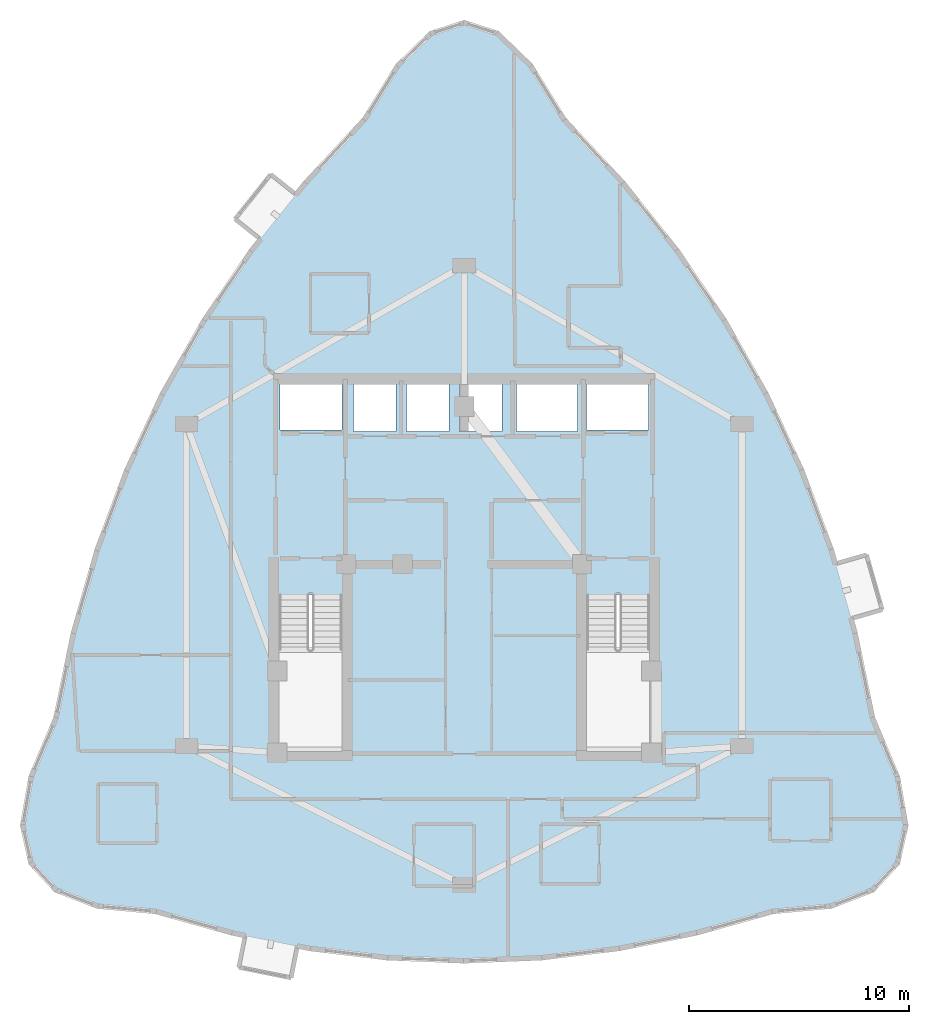
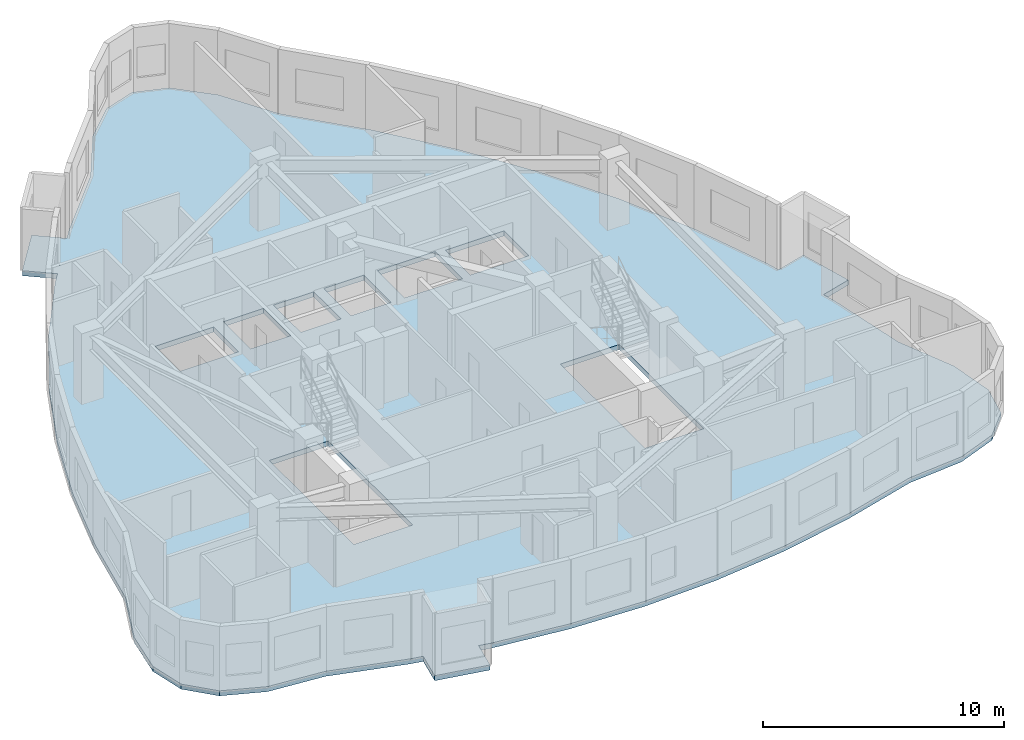
# One storey, part 4 of 12: 1 slab.
"""IFC4 building model written with IfcOpenShell, lengths in metres."""

from ifc_helpers import new_model, si_unit, direction, frame, origin, place, context, subcontext, project, spatial, polyline, outline, extrude, material, layer, layer_set, type_object, element, save


model = new_model("IFC4")

# Units and contexts
model_context = context("Model", 3, precision=1e-05, world=origin(), true_north=direction((0.0, 1.0)))
body_context = subcontext(model_context, "Body", "Model", "MODEL_VIEW")
ifc_project = project(units=[si_unit("LENGTHUNIT", "METRE"), si_unit("AREAUNIT", "SQUARE_METRE"), si_unit("VOLUMEUNIT", "CUBIC_METRE"), si_unit("PLANEANGLEUNIT", "RADIAN"), si_unit("MASSUNIT", "GRAM", prefix="KILO")], contexts=[model_context])

# Site, building, storey
site_placement = place(None, origin())
site = spatial("IfcSite", under=ifc_project, at=site_placement, CompositionType="ELEMENT")
building_placement = place(site_placement, origin())
building = spatial("IfcBuilding", under=site, at=building_placement, Name="Miruveldt Soraemaru", CompositionType="ELEMENT")
storey_placement = place(building_placement, frame((0.0, 0.0, 219.60009765625)))
storey = spatial("IfcBuildingStorey", under=building, at=storey_placement, Name="L60", CompositionType="ELEMENT", Elevation=219.60009765625)

# Slab
ifc_material = material(Name="Concrete C40/50 (40 MPa)", Category="concrete")
ifc_layer = layer(ifc_material, 0.2548828125, Name="Concrete C40/50 (40 MPa)", Category="concrete")
ifc_layer_set = layer_set([ifc_layer], Name="Concrete C40/50 (40 MPa)")
slab_type = type_object("IfcSlabType", Name="SLAB-RES3-255", PredefinedType="FLOOR", material=ifc_layer_set)
slab_placement = place(storey_placement, frame((0.0, 0.0, -0.255126953125)))
element("IfcSlab", 1, at=slab_placement, inside=storey, type_object=slab_type, Name="L60 Structural Floor Slab", PredefinedType="FLOOR", context=body_context, shape_type="SweptSolid", body=[
    extrude(outline(polyline([(33.768798828125, 25.760498046875), (34.05908203125, 27.2119140625), (35.2490234375, 26.973876953125), (33.498779296875, 27.323974609375), (29.99853515625, 28.303955078125), (27.36328125, 28.54736328125), (25.481201171875, 29.277587890625), (24.351806640625, 30.494873046875), (23.975341796875, 32.19873046875), (24.351806640625, 34.3896484375), (25.481201171875, 37.0673828125), (26.28076171875, 40.952392578125), (27.351806640625, 44.69775390625), (28.694580078125, 48.302978515625), (30.30908203125, 51.76806640625), (32.19482421875, 55.09326171875), (34.3525390625, 58.2783203125), (35.567138671875, 59.801025390625), (34.75634765625, 58.784912109375), (33.599365234375, 59.707763671875), (35.220947265625, 61.740234375), (36.3779296875, 60.817138671875), (36.78173828125, 61.323486328125), (39.482666015625, 64.228759765625), (40.98828125, 66.662841796875), (42.494140625, 68.12353515625), (44.0, 68.6103515625), (45.505859375, 68.12353515625), (47.01171875, 66.662841796875), (48.517333984375, 64.228759765625), (51.21826171875, 61.323486328125), (53.6474609375, 58.2783203125), (55.80517578125, 55.09326171875), (57.69091796875, 51.76806640625), (59.305419921875, 48.302978515625), (60.648193359375, 44.69775390625), (60.826416015625, 44.074951171875), (62.249267578125, 44.48193359375), (62.964111328125, 41.982177734375), (61.541259765625, 41.5751953125), (61.71923828125, 40.952392578125), (62.518798828125, 37.0673828125), (63.648193359375, 34.3896484375), (64.024658203125, 32.19873046875), (63.648193359375, 30.494873046875), (62.518798828125, 29.277587890625), (60.63671875, 28.54736328125), (58.00146484375, 28.303955078125), (54.501220703125, 27.323974609375), (51.000732421875, 26.623779296875), (47.50048828125, 26.203857421875), (44.0, 26.063720703125), (40.49951171875, 26.203857421875), (36.999267578125, 26.623779296875), (36.43896484375, 26.73583984375), (36.148681640625, 25.28466796875), (33.768798828125, 25.760498046875)]), holes=[polyline([(35.614990234375, 35.6650390625), (38.43505859375, 35.6650390625), (38.43505859375, 42.68505859375), (35.614990234375, 42.68505859375), (35.614990234375, 35.6650390625)]), polyline([(49.56494140625, 35.6650390625), (52.385009765625, 35.6650390625), (52.385009765625, 42.68505859375), (49.56494140625, 42.68505859375), (49.56494140625, 35.6650390625)]), polyline([(38.445068359375, 50.135009765625), (38.445068359375, 52.205078125), (35.635009765625, 52.205078125), (35.635009765625, 50.135009765625), (38.445068359375, 50.135009765625)]), polyline([(52.364990234375, 50.135009765625), (52.364990234375, 52.205078125), (49.554931640625, 52.205078125), (49.554931640625, 50.135009765625), (52.364990234375, 50.135009765625)]), polyline([(40.9150390625, 50.06494140625), (40.9150390625, 52.3349609375), (38.985107421875, 52.3349609375), (38.985107421875, 50.06494140625), (40.9150390625, 50.06494140625)]), polyline([(43.31494140625, 50.06494140625), (43.31494140625, 52.3349609375), (41.385009765625, 52.3349609375), (41.385009765625, 50.06494140625), (43.31494140625, 50.06494140625)]), polyline([(45.715087890625, 50.06494140625), (45.715087890625, 52.3349609375), (43.784912109375, 52.3349609375), (43.784912109375, 50.06494140625), (45.715087890625, 50.06494140625)]), polyline([(49.135009765625, 50.06494140625), (49.135009765625, 52.3349609375), (46.364990234375, 52.3349609375), (46.364990234375, 50.06494140625), (49.135009765625, 50.06494140625)])]), origin(), (0.0, 0.0, 1.0), 0.255126953125),
])

save(model, "model.ifc")
